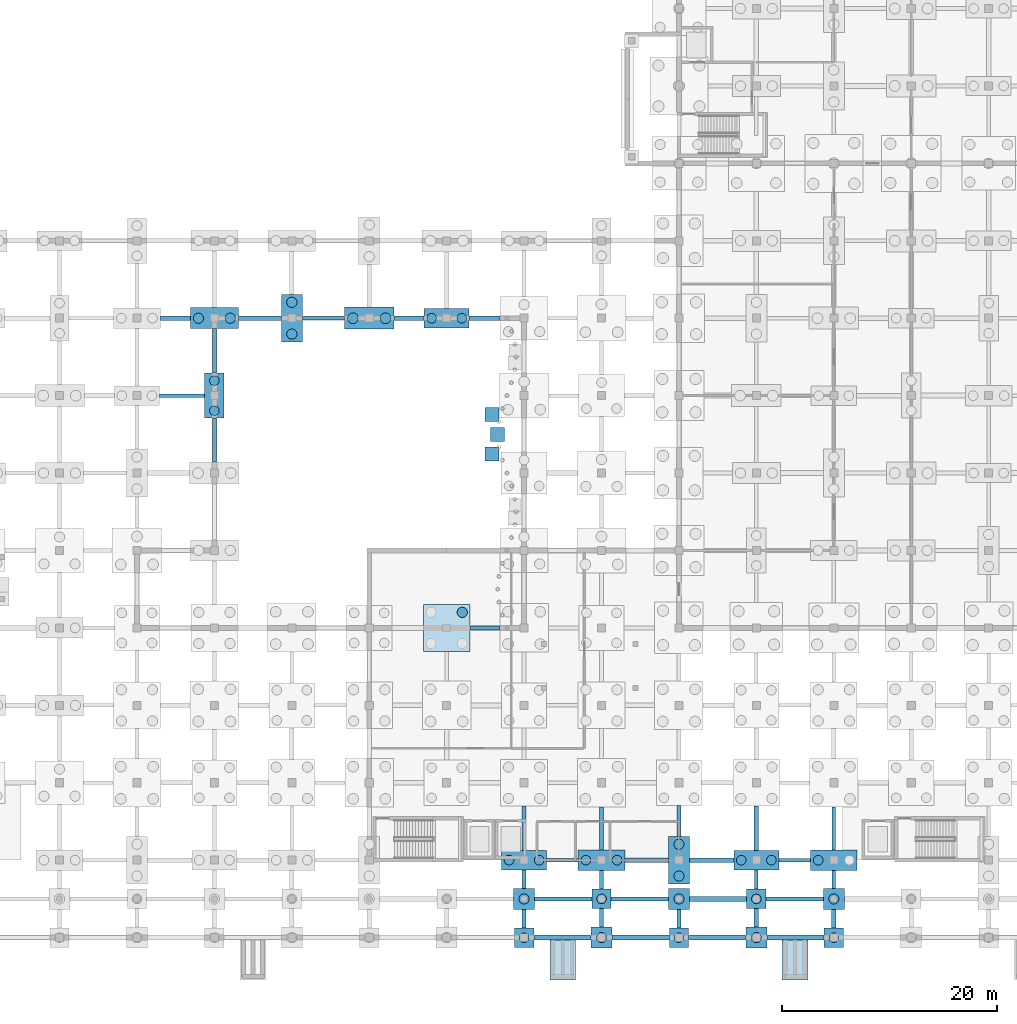
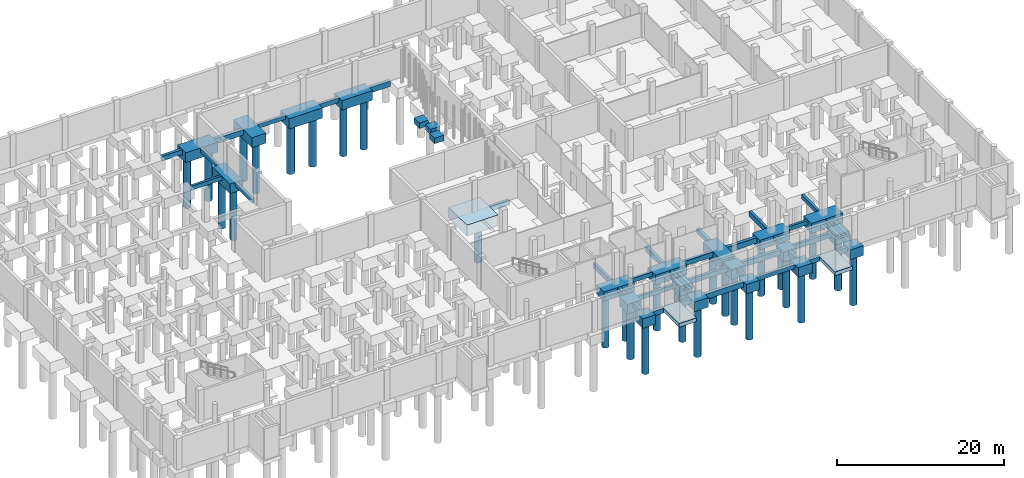
# One storey, part 5 of 35: 61 footings, 30 piles.
"""IFC4 building model written with IfcOpenShell, lengths in metres."""

from ifc_helpers import new_model, si_unit, direction, frame, origin, origin_2d, place, context, subcontext, project, spatial, rectangle, circle, extrude, material, material_profile, profile_set, type_object, element, save


model = new_model("IFC4")

# Units and contexts
model_context = context("Model", 3, precision=1e-05, world=origin(), true_north=direction((0.0, 1.0)))
body_context = subcontext(model_context, "Body", "Model", "MODEL_VIEW")
ifc_project = project(units=[si_unit("LENGTHUNIT", "METRE"), si_unit("AREAUNIT", "SQUARE_METRE"), si_unit("VOLUMEUNIT", "CUBIC_METRE"), si_unit("PLANEANGLEUNIT", "RADIAN"), si_unit("MASSUNIT", "GRAM", prefix="KILO"), si_unit("THERMODYNAMICTEMPERATUREUNIT", "KELVIN"), si_unit("POWERUNIT", "WATT")], contexts=[model_context])

# Site, building, storey
site_placement = place(None, origin())
site = spatial("IfcSite", under=ifc_project, at=site_placement, CompositionType="ELEMENT")
building_placement = place(site_placement, origin())
building = spatial("IfcBuilding", under=site, at=building_placement, Name="Kaldorven Railside Theatre", CompositionType="ELEMENT")
storey_placement = place(building_placement, frame((0.0, 0.0, -4.800048828125)))
storey = spatial("IfcBuildingStorey", under=building, at=storey_placement, Name="B1", CompositionType="ELEMENT", Elevation=-4.800048828125)

# Footings
ifc_material_1 = material(Name="Concrete C40/50", Category="concrete")
ifc_material_profile_1 = material_profile(ifc_material_1, rectangle(XDim=0.449951171875, YDim=0.800048828125, at=origin_2d()), Name="RC 450x800")
ifc_profile_set_1 = profile_set([ifc_material_profile_1], Name="Concrete C40/50")
footing_type_1 = type_object("IfcFootingType", Name="FTG-GB01", PredefinedType="FOOTING_BEAM", material=ifc_profile_set_1)
for number, where, z_axis, x_axis, name in (
    (1, (80.97509765625, 12.0, -0.39990234375), (1.0, 0.0, 0.0), (0.0, 1.0, 0.0), "Foundation Tie Beam GB-021"),
    (2, (88.175048828125, 15.60009765625, -0.39990234375), (1.0, 0.0, 0.0), (0.0, 1.0, 0.0), "Foundation Tie Beam GB-051"),
):
    element("IfcFooting", number, at=place(storey_placement, frame(where, z_axis=z_axis, x_axis=x_axis)), inside=storey, type_object=footing_type_1, Name=name, PredefinedType="FOOTING_BEAM", context=body_context, shape_type="SweptSolid", body=[
        extrude(rectangle(XDim=0.449951171875, YDim=0.800048828125, at=origin_2d()), origin(), (0.0, 0.0, 1.0), 5.324951171875),
    ])
footing_1_placement = place(storey_placement, frame((88.175048828125, 19.199951171875, -0.39990234375), z_axis=(1.0, 0.0, 0.0), x_axis=(0.0, 1.0, 0.0)))
element("IfcFooting", 3, at=footing_1_placement, inside=storey, type_object=footing_type_1, Name="Foundation Tie Beam GB-075", PredefinedType="FOOTING_BEAM", context=body_context, shape_type="SweptSolid", body=[
    extrude(rectangle(XDim=0.449951171875, YDim=0.800048828125, at=origin_2d()), origin(), (0.0, 0.0, 1.0), 4.125),
])
footing_2_placement = place(storey_placement, frame((46.22509765625, 69.60009765625, -0.39990234375), z_axis=(1.0, 0.0, 0.0), x_axis=(0.0, 1.0, 0.0)))
element("IfcFooting", 4, at=footing_2_placement, inside=storey, type_object=footing_type_1, Name="Foundation Tie Beam GB-267", PredefinedType="FOOTING_BEAM", context=body_context, shape_type="SweptSolid", body=[
    extrude(rectangle(XDim=0.449951171875, YDim=0.800048828125, at=origin_2d()), origin(), (0.0, 0.0, 1.0), 4.0),
])
footing_3_placement = place(storey_placement, frame((67.699951171875, 69.60009765625, -0.39990234375), z_axis=(1.0, 0.0, 0.0), x_axis=(0.0, 1.0, 0.0)))
element("IfcFooting", 5, at=footing_3_placement, inside=storey, type_object=footing_type_1, Name="Foundation Tie Beam GB-273", PredefinedType="FOOTING_BEAM", context=body_context, shape_type="SweptSolid", body=[
    extrude(rectangle(XDim=0.449951171875, YDim=0.800048828125, at=origin_2d()), origin(), (0.0, 0.0, 1.0), 2.875),
])
ifc_material_profile_2 = material_profile(ifc_material_1, rectangle(XDim=0.39990234375, YDim=0.699951171875, at=origin_2d()), Name="RC 400x700")
ifc_profile_set_2 = profile_set([ifc_material_profile_2], Name="Concrete C40/50")
footing_type_2 = type_object("IfcFootingType", Name="FTG-GB02", PredefinedType="FOOTING_BEAM", material=ifc_profile_set_2)
footing_4_placement = place(storey_placement, frame((73.699951171875, 12.0, -0.349853515625), z_axis=(1.0, 0.0, 0.0), x_axis=(0.0, 1.0, 0.0)))
element("IfcFooting", 6, at=footing_4_placement, inside=storey, type_object=footing_type_2, Name="Foundation Tie Beam GB-019", PredefinedType="FOOTING_BEAM", context=body_context, shape_type="SweptSolid", body=[
    extrude(rectangle(XDim=0.39990234375, YDim=0.699951171875, at=origin_2d()), origin(), (0.0, 0.0, 1.0), 5.324951171875),
])
footing_5_placement = place(storey_placement, frame((72.800048828125, 12.89990234375, -0.349853515625), z_axis=(0.0, 1.0, 0.0), x_axis=(-1.0, 0.0, 0.0)))
element("IfcFooting", 7, at=footing_5_placement, inside=storey, type_object=footing_type_2, Name="Foundation Tie Beam GB-020", PredefinedType="FOOTING_BEAM", context=body_context, shape_type="SweptSolid", body=[
    extrude(rectangle(XDim=0.39990234375, YDim=0.699951171875, at=origin_2d()), origin(), (0.0, 0.0, 1.0), 1.72509765625),
])
footing_6_placement = place(storey_placement, frame((80.0, 12.97509765625, -0.349853515625), z_axis=(0.0, 1.0, 0.0), x_axis=(-1.0, 0.0, 0.0)))
element("IfcFooting", 8, at=footing_6_placement, inside=storey, type_object=footing_type_2, Name="Foundation Tie Beam GB-022", PredefinedType="FOOTING_BEAM", context=body_context, shape_type="SweptSolid", body=[
    extrude(rectangle(XDim=0.39990234375, YDim=0.699951171875, at=origin_2d()), origin(), (0.0, 0.0, 1.0), 1.724853515625),
])
footing_7_placement = place(storey_placement, frame((87.199951171875, 12.89990234375, -0.349853515625), z_axis=(0.0, 1.0, 0.0), x_axis=(-1.0, 0.0, 0.0)))
element("IfcFooting", 9, at=footing_7_placement, inside=storey, type_object=footing_type_2, Name="Foundation Tie Beam GB-024", PredefinedType="FOOTING_BEAM", context=body_context, shape_type="SweptSolid", body=[
    extrude(rectangle(XDim=0.39990234375, YDim=0.699951171875, at=origin_2d()), origin(), (0.0, 0.0, 1.0), 1.72509765625),
])
footing_8_placement = place(storey_placement, frame((95.375, 12.0, -0.349853515625), z_axis=(1.0, 0.0, 0.0), x_axis=(0.0, 1.0, 0.0)))
element("IfcFooting", 10, at=footing_8_placement, inside=storey, type_object=footing_type_2, Name="Foundation Tie Beam GB-025", PredefinedType="FOOTING_BEAM", context=body_context, shape_type="SweptSolid", body=[
    extrude(rectangle(XDim=0.39990234375, YDim=0.699951171875, at=origin_2d()), origin(), (0.0, 0.0, 1.0), 5.324951171875),
])
footing_9_placement = place(storey_placement, frame((94.39990234375, 12.97509765625, -0.349853515625), z_axis=(0.0, 1.0, 0.0), x_axis=(-1.0, 0.0, 0.0)))
element("IfcFooting", 11, at=footing_9_placement, inside=storey, type_object=footing_type_2, Name="Foundation Tie Beam GB-026", PredefinedType="FOOTING_BEAM", context=body_context, shape_type="SweptSolid", body=[
    extrude(rectangle(XDim=0.39990234375, YDim=0.699951171875, at=origin_2d()), origin(), (0.0, 0.0, 1.0), 1.724853515625),
])
for number, where, z_axis, x_axis, name in (
    (12, (101.60009765625, 12.89990234375, -0.349853515625), (0.0, 1.0, 0.0), (-1.0, 0.0, 0.0), "Foundation Tie Beam GB-028"),
    (13, (72.800048828125, 16.574951171875, -0.349853515625), (0.0, 1.0, 0.0), (-1.0, 0.0, 0.0), "Foundation Tie Beam GB-048"),
):
    element("IfcFooting", number, at=place(storey_placement, frame(where, z_axis=z_axis, x_axis=x_axis)), inside=storey, type_object=footing_type_2, Name=name, PredefinedType="FOOTING_BEAM", context=body_context, shape_type="SweptSolid", body=[
        extrude(rectangle(XDim=0.39990234375, YDim=0.699951171875, at=origin_2d()), origin(), (0.0, 0.0, 1.0), 1.72509765625),
    ])
footing_10_placement = place(storey_placement, frame((80.89990234375, 15.60009765625, -0.349853515625), z_axis=(1.0, 0.0, 0.0), x_axis=(0.0, 1.0, 0.0)))
element("IfcFooting", 14, at=footing_10_placement, inside=storey, type_object=footing_type_2, Name="Foundation Tie Beam GB-049", PredefinedType="FOOTING_BEAM", context=body_context, shape_type="SweptSolid", body=[
    extrude(rectangle(XDim=0.39990234375, YDim=0.699951171875, at=origin_2d()), origin(), (0.0, 0.0, 1.0), 5.3251953125),
])
footing_11_placement = place(storey_placement, frame((80.0, 16.5, -0.349853515625), z_axis=(0.0, 1.0, 0.0), x_axis=(-1.0, 0.0, 0.0)))
element("IfcFooting", 15, at=footing_11_placement, inside=storey, type_object=footing_type_2, Name="Foundation Tie Beam GB-050", PredefinedType="FOOTING_BEAM", context=body_context, shape_type="SweptSolid", body=[
    extrude(rectangle(XDim=0.39990234375, YDim=0.699951171875, at=origin_2d()), origin(), (0.0, 0.0, 1.0), 1.75),
])
footing_12_placement = place(storey_placement, frame((95.300048828125, 15.60009765625, -0.349853515625), z_axis=(1.0, 0.0, 0.0), x_axis=(0.0, 1.0, 0.0)))
element("IfcFooting", 16, at=footing_12_placement, inside=storey, type_object=footing_type_2, Name="Foundation Tie Beam GB-052", PredefinedType="FOOTING_BEAM", context=body_context, shape_type="SweptSolid", body=[
    extrude(rectangle(XDim=0.39990234375, YDim=0.699951171875, at=origin_2d()), origin(), (0.0, 0.0, 1.0), 5.324951171875),
])
footing_13_placement = place(storey_placement, frame((72.800048828125, 20.10009765625, -0.349853515625), z_axis=(0.0, 1.0, 0.0), x_axis=(-1.0, 0.0, 0.0)))
element("IfcFooting", 17, at=footing_13_placement, inside=storey, type_object=footing_type_2, Name="Foundation Tie Beam GB-072", PredefinedType="FOOTING_BEAM", context=body_context, shape_type="SweptSolid", body=[
    extrude(rectangle(XDim=0.39990234375, YDim=0.699951171875, at=origin_2d()), origin(), (0.0, 0.0, 1.0), 4.125),
])
footing_14_placement = place(storey_placement, frame((82.175048828125, 19.199951171875, -0.349853515625), z_axis=(1.0, 0.0, 0.0), x_axis=(0.0, 1.0, 0.0)))
element("IfcFooting", 18, at=footing_14_placement, inside=storey, type_object=footing_type_2, Name="Foundation Tie Beam GB-073", PredefinedType="FOOTING_BEAM", context=body_context, shape_type="SweptSolid", body=[
    extrude(rectangle(XDim=0.39990234375, YDim=0.699951171875, at=origin_2d()), origin(), (0.0, 0.0, 1.0), 4.050048828125),
])
footing_15_placement = place(storey_placement, frame((80.0, 20.14990234375, -0.349853515625), z_axis=(0.0, 1.0, 0.0), x_axis=(-1.0, 0.0, 0.0)))
element("IfcFooting", 19, at=footing_15_placement, inside=storey, type_object=footing_type_2, Name="Foundation Tie Beam GB-074", PredefinedType="FOOTING_BEAM", context=body_context, shape_type="SweptSolid", body=[
    extrude(rectangle(XDim=0.39990234375, YDim=0.699951171875, at=origin_2d()), origin(), (0.0, 0.0, 1.0), 4.0),
])
footing_16_placement = place(storey_placement, frame((87.199951171875, 21.425048828125, -0.349853515625), z_axis=(0.0, 1.0, 0.0), x_axis=(-1.0, 0.0, 0.0)))
element("IfcFooting", 20, at=footing_16_placement, inside=storey, type_object=footing_type_2, Name="Foundation Tie Beam GB-076", PredefinedType="FOOTING_BEAM", context=body_context, shape_type="SweptSolid", body=[
    extrude(rectangle(XDim=0.39990234375, YDim=0.699951171875, at=origin_2d()), origin(), (0.0, 0.0, 1.0), 2.875),
])
footing_17_placement = place(storey_placement, frame((94.39990234375, 20.10009765625, -0.349853515625), z_axis=(0.0, 1.0, 0.0), x_axis=(-1.0, 0.0, 0.0)))
element("IfcFooting", 21, at=footing_17_placement, inside=storey, type_object=footing_type_2, Name="Foundation Tie Beam GB-078", PredefinedType="FOOTING_BEAM", context=body_context, shape_type="SweptSolid", body=[
    extrude(rectangle(XDim=0.39990234375, YDim=0.699951171875, at=origin_2d()), origin(), (0.0, 0.0, 1.0), 4.125),
])
footing_18_placement = place(storey_placement, frame((67.77490234375, 40.800048828125, -0.349853515625), z_axis=(1.0, 0.0, 0.0), x_axis=(0.0, 1.0, 0.0)))
element("IfcFooting", 22, at=footing_18_placement, inside=storey, type_object=footing_type_2, Name="Foundation Tie Beam GB-163", PredefinedType="FOOTING_BEAM", context=body_context, shape_type="SweptSolid", body=[
    extrude(rectangle(XDim=0.39990234375, YDim=0.699951171875, at=origin_2d()), origin(), (0.0, 0.0, 1.0), 2.775146484375),
])
footing_19_placement = place(storey_placement, frame((38.97509765625, 69.60009765625, -0.349853515625), z_axis=(1.0, 0.0, 0.0), x_axis=(0.0, 1.0, 0.0)))
element("IfcFooting", 23, at=footing_19_placement, inside=storey, type_object=footing_type_2, Name="Foundation Tie Beam GB-265", PredefinedType="FOOTING_BEAM", context=body_context, shape_type="SweptSolid", body=[
    extrude(rectangle(XDim=0.39990234375, YDim=0.699951171875, at=origin_2d()), origin(), (0.0, 0.0, 1.0), 2.7998046875),
])
footing_20_placement = place(storey_placement, frame((60.699951171875, 69.60009765625, -0.349853515625), z_axis=(1.0, 0.0, 0.0), x_axis=(0.0, 1.0, 0.0)))
element("IfcFooting", 24, at=footing_20_placement, inside=storey, type_object=footing_type_2, Name="Foundation Tie Beam GB-271", PredefinedType="FOOTING_BEAM", context=body_context, shape_type="SweptSolid", body=[
    extrude(rectangle(XDim=0.39990234375, YDim=0.699951171875, at=origin_2d()), origin(), (0.0, 0.0, 1.0), 2.800048828125),
])
ifc_material_profile_3 = material_profile(ifc_material_1, rectangle(XDim=0.35009765625, YDim=0.60009765625, at=origin_2d()), Name="RC 350x600")
ifc_profile_set_3 = profile_set([ifc_material_profile_3], Name="Concrete C40/50")
footing_type_3 = type_object("IfcFootingType", Name="FTG-GB03", PredefinedType="FOOTING_BEAM", material=ifc_profile_set_3)
footing_21_placement = place(storey_placement, frame((88.10009765625, 12.0, -0.300048828125), z_axis=(1.0, 0.0, 0.0), x_axis=(0.0, 1.0, 0.0)))
element("IfcFooting", 25, at=footing_21_placement, inside=storey, type_object=footing_type_3, Name="Foundation Tie Beam GB-023", PredefinedType="FOOTING_BEAM", context=body_context, shape_type="SweptSolid", body=[
    extrude(rectangle(XDim=0.35009765625, YDim=0.60009765625, at=origin_2d()), origin(), (0.0, 0.0, 1.0), 5.324951171875),
])
footing_22_placement = place(storey_placement, frame((73.77490234375, 15.60009765625, -0.300048828125), z_axis=(1.0, 0.0, 0.0), x_axis=(0.0, 1.0, 0.0)))
element("IfcFooting", 26, at=footing_22_placement, inside=storey, type_object=footing_type_3, Name="Foundation Tie Beam GB-047", PredefinedType="FOOTING_BEAM", context=body_context, shape_type="SweptSolid", body=[
    extrude(rectangle(XDim=0.35009765625, YDim=0.60009765625, at=origin_2d()), origin(), (0.0, 0.0, 1.0), 5.3251953125),
])
footing_23_placement = place(storey_placement, frame((94.39990234375, 16.5, -0.300048828125), z_axis=(0.0, 1.0, 0.0), x_axis=(-1.0, 0.0, 0.0)))
element("IfcFooting", 27, at=footing_23_placement, inside=storey, type_object=footing_type_3, Name="Foundation Tie Beam GB-053", PredefinedType="FOOTING_BEAM", context=body_context, shape_type="SweptSolid", body=[
    extrude(rectangle(XDim=0.35009765625, YDim=0.60009765625, at=origin_2d()), origin(), (0.0, 0.0, 1.0), 1.800048828125),
])
footing_24_placement = place(storey_placement, frame((101.60009765625, 16.574951171875, -0.300048828125), z_axis=(0.0, 1.0, 0.0), x_axis=(-1.0, 0.0, 0.0)))
element("IfcFooting", 28, at=footing_24_placement, inside=storey, type_object=footing_type_3, Name="Foundation Tie Beam GB-055", PredefinedType="FOOTING_BEAM", context=body_context, shape_type="SweptSolid", body=[
    extrude(rectangle(XDim=0.35009765625, YDim=0.60009765625, at=origin_2d()), origin(), (0.0, 0.0, 1.0), 1.675048828125),
])
for number, where, z_axis, x_axis, name in (
    (29, (74.89990234375, 19.199951171875, -0.300048828125), (1.0, 0.0, 0.0), (0.0, 1.0, 0.0), "Foundation Tie Beam GB-071"),
    (30, (96.5, 19.199951171875, -0.300048828125), (1.0, 0.0, 0.0), (0.0, 1.0, 0.0), "Foundation Tie Beam GB-077"),
):
    element("IfcFooting", number, at=place(storey_placement, frame(where, z_axis=z_axis, x_axis=x_axis)), inside=storey, type_object=footing_type_3, Name=name, PredefinedType="FOOTING_BEAM", context=body_context, shape_type="SweptSolid", body=[
        extrude(rectangle(XDim=0.35009765625, YDim=0.60009765625, at=origin_2d()), origin(), (0.0, 0.0, 1.0), 2.925048828125),
    ])
footing_25_placement = place(storey_placement, frame((101.60009765625, 20.14990234375, -0.300048828125), z_axis=(0.0, 1.0, 0.0), x_axis=(-1.0, 0.0, 0.0)))
element("IfcFooting", 31, at=footing_25_placement, inside=storey, type_object=footing_type_3, Name="Foundation Tie Beam GB-079", PredefinedType="FOOTING_BEAM", context=body_context, shape_type="SweptSolid", body=[
    extrude(rectangle(XDim=0.35009765625, YDim=0.60009765625, at=origin_2d()), origin(), (0.0, 0.0, 1.0), 4.0),
])
footing_26_placement = place(storey_placement, frame((44.0, 56.22509765625, -0.300048828125), z_axis=(0.0, 1.0, 0.0), x_axis=(-1.0, 0.0, 0.0)))
element("IfcFooting", 32, at=footing_26_placement, inside=storey, type_object=footing_type_3, Name="Foundation Tie Beam GB-215", PredefinedType="FOOTING_BEAM", context=body_context, shape_type="SweptSolid", body=[
    extrude(rectangle(XDim=0.35009765625, YDim=0.60009765625, at=origin_2d()), origin(), (0.0, 0.0, 1.0), 4.074951171875),
])
footing_27_placement = place(storey_placement, frame((38.89990234375, 62.39990234375, -0.300048828125), z_axis=(1.0, 0.0, 0.0), x_axis=(0.0, 1.0, 0.0)))
element("IfcFooting", 33, at=footing_27_placement, inside=storey, type_object=footing_type_3, Name="Foundation Tie Beam GB-239", PredefinedType="FOOTING_BEAM", context=body_context, shape_type="SweptSolid", body=[
    extrude(rectangle(XDim=0.35009765625, YDim=0.60009765625, at=origin_2d()), origin(), (0.0, 0.0, 1.0), 4.2001953125),
])
footing_28_placement = place(storey_placement, frame((44.0, 64.5, -0.300048828125), z_axis=(0.0, 1.0, 0.0), x_axis=(-1.0, 0.0, 0.0)))
element("IfcFooting", 34, at=footing_28_placement, inside=storey, type_object=footing_type_3, Name="Foundation Tie Beam GB-241", PredefinedType="FOOTING_BEAM", context=body_context, shape_type="SweptSolid", body=[
    extrude(rectangle(XDim=0.35009765625, YDim=0.60009765625, at=origin_2d()), origin(), (0.0, 0.0, 1.0), 4.125),
])
footing_29_placement = place(storey_placement, frame((52.175048828125, 69.60009765625, -0.300048828125), z_axis=(1.0, 0.0, 0.0), x_axis=(0.0, 1.0, 0.0)))
element("IfcFooting", 35, at=footing_29_placement, inside=storey, type_object=footing_type_3, Name="Foundation Tie Beam GB-269", PredefinedType="FOOTING_BEAM", context=body_context, shape_type="SweptSolid", body=[
    extrude(rectangle(XDim=0.35009765625, YDim=0.60009765625, at=origin_2d()), origin(), (0.0, 0.0, 1.0), 3.925048828125),
])
footing_type_4 = type_object("IfcFootingType", Name="FTG-PC01", PredefinedType="PILE_CAP", material=ifc_material_1)
for number, where, z_axis, x_axis, name in (
    (36, (72.800048828125, 12.0, -1.39990234375), (0.0, 0.0, 1.0), (1.0, 0.0, 0.0), "Reinforced Concrete Pile Cap FC-010"),
    (37, (87.199951171875, 12.0, -1.39990234375), (0.0, 0.0, 1.0), (1.0, 0.0, 0.0), "Reinforced Concrete Pile Cap FC-012"),
    (38, (101.60009765625, 12.0, -1.39990234375), (0.0, 0.0, 1.0), (1.0, 0.0, 0.0), "Reinforced Concrete Pile Cap FC-014"),
    (39, (80.0, 15.60009765625, -1.39990234375), (0.0, 0.0, 1.0), (1.0, 0.0, 0.0), "Reinforced Concrete Pile Cap FC-028"),
    (40, (94.39990234375, 15.60009765625, -1.39990234375), (0.0, 0.0, 1.0), (1.0, 0.0, 0.0), "Reinforced Concrete Pile Cap FC-030"),
):
    element("IfcFooting", number, at=place(storey_placement, frame(where, z_axis=z_axis, x_axis=x_axis)), inside=storey, type_object=footing_type_4, Name=name, PredefinedType="PILE_CAP", context=body_context, shape_type="SweptSolid", body=[
        extrude(rectangle(XDim=1.800048828125, YDim=1.800048828125, at=origin_2d()), origin(), (0.0, 0.0, 1.0), 1.39990234375),
    ])
footing_type_5 = type_object("IfcFootingType", Name="FTG-PC02", PredefinedType="PILE_CAP", material=ifc_material_1)
for number, where, z_axis, x_axis, name in (
    (41, (80.0, 12.0, -1.39990234375), (0.0, 0.0, 1.0), (1.0, 0.0, 0.0), "Reinforced Concrete Pile Cap FC-011"),
    (42, (94.39990234375, 12.0, -1.39990234375), (0.0, 0.0, 1.0), (1.0, 0.0, 0.0), "Reinforced Concrete Pile Cap FC-013"),
    (43, (72.800048828125, 15.60009765625, -1.39990234375), (0.0, 0.0, 1.0), (1.0, 0.0, 0.0), "Reinforced Concrete Pile Cap FC-027"),
    (44, (87.199951171875, 15.60009765625, -1.39990234375), (0.0, 0.0, 1.0), (1.0, 0.0, 0.0), "Reinforced Concrete Pile Cap FC-029"),
    (45, (101.60009765625, 15.60009765625, -1.39990234375), (0.0, 0.0, 1.0), (1.0, 0.0, 0.0), "Reinforced Concrete Pile Cap FC-031"),
):
    element("IfcFooting", number, at=place(storey_placement, frame(where, z_axis=z_axis, x_axis=x_axis)), inside=storey, type_object=footing_type_5, Name=name, PredefinedType="PILE_CAP", context=body_context, shape_type="SweptSolid", body=[
        extrude(rectangle(XDim=1.949951171875, YDim=1.949951171875, at=origin_2d()), origin(), (0.0, 0.0, 1.0), 1.39990234375),
    ])
footing_type_6 = type_object("IfcFootingType", Name="FTG-PC03", PredefinedType="PILE_CAP", material=ifc_material_1)
for number, where, z_axis, x_axis, name in (
    (46, (72.800048828125, 19.199951171875, -1.39990234375), (0.0, 0.0, 1.0), (1.0, 0.0, 0.0), "Reinforced Concrete Pile Cap FC-042"),
    (47, (94.39990234375, 19.199951171875, -1.39990234375), (0.0, 0.0, 1.0), (1.0, 0.0, 0.0), "Reinforced Concrete Pile Cap FC-045"),
    (48, (65.60009765625, 69.60009765625, -1.39990234375), (0.0, 0.0, 1.0), (1.0, 0.0, 0.0), "Reinforced Concrete Pile Cap FC-150"),
):
    element("IfcFooting", number, at=place(storey_placement, frame(where, z_axis=z_axis, x_axis=x_axis)), inside=storey, type_object=footing_type_6, Name=name, PredefinedType="PILE_CAP", context=body_context, shape_type="SweptSolid", body=[
        extrude(rectangle(XDim=4.199951171875, YDim=1.800048828125, at=origin_2d()), origin(), (0.0, 0.0, 1.0), 1.39990234375),
    ])
footing_type_7 = type_object("IfcFootingType", Name="FTG-PC04", PredefinedType="PILE_CAP", material=ifc_material_1)
footing_30_placement = place(storey_placement, frame((44.0, 62.39990234375, -1.39990234375), z_axis=(0.0, 0.0, 1.0), x_axis=(1.0, 0.0, 0.0)))
element("IfcFooting", 49, at=footing_30_placement, inside=storey, type_object=footing_type_7, Name="Reinforced Concrete Pile Cap FC-133", PredefinedType="PILE_CAP", context=body_context, shape_type="SweptSolid", body=[
    extrude(rectangle(XDim=1.800048828125, YDim=4.199951171875, at=origin_2d()), origin(), (0.0, 0.0, 1.0), 1.39990234375),
])
footing_type_8 = type_object("IfcFootingType", Name="FTG-PC05", PredefinedType="PILE_CAP", material=ifc_material_1)
for number, where, z_axis, x_axis, name in (
    (50, (80.0, 19.199951171875, -1.44970703125), (0.0, 0.0, 1.0), (1.0, 0.0, 0.0), "Reinforced Concrete Pile Cap FC-043"),
    (51, (101.60009765625, 19.199951171875, -1.44970703125), (0.0, 0.0, 1.0), (1.0, 0.0, 0.0), "Reinforced Concrete Pile Cap FC-046"),
):
    element("IfcFooting", number, at=place(storey_placement, frame(where, z_axis=z_axis, x_axis=x_axis)), inside=storey, type_object=footing_type_8, Name=name, PredefinedType="PILE_CAP", context=body_context, shape_type="SweptSolid", body=[
        extrude(rectangle(XDim=4.35009765625, YDim=1.89990234375, at=origin_2d()), origin(), (0.0, 0.0, 1.0), 1.449951171875),
    ])
footing_type_9 = type_object("IfcFootingType", Name="FTG-PC06", PredefinedType="PILE_CAP", material=ifc_material_1)
footing_31_placement = place(storey_placement, frame((44.0, 69.60009765625, -1.44970703125), z_axis=(0.0, 0.0, 1.0), x_axis=(1.0, 0.0, 0.0)))
element("IfcFooting", 52, at=footing_31_placement, inside=storey, type_object=footing_type_9, Name="Reinforced Concrete Pile Cap FC-147", PredefinedType="PILE_CAP", context=body_context, shape_type="SweptSolid", body=[
    extrude(rectangle(XDim=4.449951171875, YDim=1.949951171875, at=origin_2d()), origin(), (0.0, 0.0, 1.0), 1.449951171875),
])
footing_type_10 = type_object("IfcFootingType", Name="FTG-PC07", PredefinedType="PILE_CAP", material=ifc_material_1)
for number, where, z_axis, x_axis, name in (
    (53, (87.199951171875, 19.199951171875, -1.44970703125), (0.0, 0.0, 1.0), (1.0, 0.0, 0.0), "Reinforced Concrete Pile Cap FC-044"),
    (54, (51.199951171875, 69.60009765625, -1.44970703125), (0.0, 0.0, 1.0), (1.0, 0.0, 0.0), "Reinforced Concrete Pile Cap FC-148"),
):
    element("IfcFooting", number, at=place(storey_placement, frame(where, z_axis=z_axis, x_axis=x_axis)), inside=storey, type_object=footing_type_10, Name=name, PredefinedType="PILE_CAP", context=body_context, shape_type="SweptSolid", body=[
        extrude(rectangle(XDim=1.949951171875, YDim=4.449951171875, at=origin_2d()), origin(), (0.0, 0.0, 1.0), 1.449951171875),
    ])
footing_type_11 = type_object("IfcFootingType", Name="FTG-PC08", PredefinedType="PILE_CAP", material=ifc_material_1)
footing_32_placement = place(storey_placement, frame((58.39990234375, 69.60009765625, -1.5), z_axis=(0.0, 0.0, 1.0), x_axis=(1.0, 0.0, 0.0)))
element("IfcFooting", 55, at=footing_32_placement, inside=storey, type_object=footing_type_11, Name="Reinforced Concrete Pile Cap FC-149", PredefinedType="PILE_CAP", context=body_context, shape_type="SweptSolid", body=[
    extrude(rectangle(XDim=4.60009765625, YDim=2.050048828125, at=origin_2d()), origin(), (0.0, 0.0, 1.0), 1.5),
])
footing_type_12 = type_object("IfcFootingType", Name="FTG-PC13", PredefinedType="PILE_CAP", material=ifc_material_1)
footing_33_placement = place(storey_placement, frame((65.60009765625, 40.800048828125, -1.60009765625), z_axis=(0.0, 0.0, 1.0), x_axis=(1.0, 0.0, 0.0)))
element("IfcFooting", 56, at=footing_33_placement, inside=storey, type_object=footing_type_12, Name="Reinforced Concrete Pile Cap FC-091", PredefinedType="PILE_CAP", context=body_context, shape_type="SweptSolid", body=[
    extrude(rectangle(XDim=4.35009765625, YDim=4.35009765625, at=origin_2d()), origin(), (0.0, 0.0, 1.0), 1.60009765625),
])
footing_type_13 = type_object("IfcFootingType", Name="FTG-SF01", PredefinedType="PAD_FOOTING", material=ifc_material_1)
for number, where, z_axis, x_axis, name in (
    (57, (70.35009765625, 58.800048828125, -0.7998046875), (0.0, 0.0, 1.0), (1.0, 0.0, 0.0), "Court Flute Stanchion Pad SF-016"),
    (58, (69.833984375, 56.969970703125, -0.7998046875), (0.0, 0.0, 1.0), (1.0, 0.0, 0.0), "Court Flute Stanchion Pad SF-017"),
    (59, (69.833984375, 60.6298828125, -0.7998046875), (0.0, 0.0, 1.0), (1.0, 0.0, 0.0), "Court Flute Stanchion Pad SF-018"),
):
    element("IfcFooting", number, at=place(storey_placement, frame(where, z_axis=z_axis, x_axis=x_axis)), inside=storey, type_object=footing_type_13, Name=name, PredefinedType="PAD_FOOTING", context=body_context, shape_type="SweptSolid", body=[
        extrude(rectangle(XDim=1.300048828125, YDim=1.300048828125, at=origin_2d()), origin(), (0.0, 0.0, 1.0), 0.800048828125),
    ])
for number, where, z_axis, x_axis, name in (
    (60, (76.39990234375, 10.110107421875, -0.5498046875), (0.0, 0.0, 1.0), (1.0, 0.0, 0.0), "Arrival Ramp Foundation Pad FRM-03"),
    (61, (98.0, 10.110107421875, -0.5498046875), (0.0, 0.0, 1.0), (1.0, 0.0, 0.0), "Arrival Ramp Foundation Pad FRM-04"),
):
    element("IfcFooting", number, at=place(storey_placement, frame(where, z_axis=z_axis, x_axis=x_axis)), inside=storey, type_object=footing_type_13, Name=name, PredefinedType="PAD_FOOTING", context=body_context, shape_type="SweptSolid", body=[
        extrude(rectangle(XDim=2.39990234375, YDim=4.10009765625, at=origin_2d()), origin(), (0.0, 0.0, 1.0), 0.550048828125),
    ])

# Piles
ifc_material_2 = material(Name="Concrete C35/45", Category="concrete")
ifc_material_profile_4 = material_profile(ifc_material_2, circle(Radius=0.5, at=origin_2d()), Name="BP D1000")
ifc_profile_set_4 = profile_set([ifc_material_profile_4], Name="Concrete C35/45")
pile_type_1 = type_object("IfcPileType", Name="PIL-D1000", PredefinedType="BORED", material=ifc_profile_set_4)
for number, where, z_axis, x_axis, name in (
    (62, (56.8798828125, 69.60009765625, -1.39990234375), (0.0, 0.0, -1.0), (1.0, 0.0, 0.0), "Bored Bedrock Socket Pile BP-058-069-1"),
    (63, (59.919921875, 69.60009765625, -1.39990234375), (0.0, 0.0, -1.0), (1.0, 0.0, 0.0), "Bored Bedrock Socket Pile BP-058-069-2"),
):
    element("IfcPile", number, at=place(storey_placement, frame(where, z_axis=z_axis, x_axis=x_axis)), inside=storey, type_object=pile_type_1, Name=name, PredefinedType="BORED", context=body_context, shape_type="SweptSolid", body=[
        extrude(circle(Radius=0.5, at=origin_2d()), origin(), (0.0, 0.0, 1.0), 7.300048828125),
    ])
ifc_material_profile_5 = material_profile(ifc_material_2, circle(Radius=0.449951171875, at=origin_2d()), Name="BP D900")
ifc_profile_set_5 = profile_set([ifc_material_profile_5], Name="Concrete C35/45")
pile_type_2 = type_object("IfcPileType", Name="PIL-D900", PredefinedType="BORED", material=ifc_profile_set_5)
for number, where, z_axis, x_axis, name in (
    (64, (72.800048828125, 12.0, -1.300048828125), (0.0, 0.0, -1.0), (1.0, 0.0, 0.0), "Bored Bedrock Socket Pile BP-072-012-1"),
    (65, (87.199951171875, 12.0, -1.300048828125), (0.0, 0.0, -1.0), (1.0, 0.0, 0.0), "Bored Bedrock Socket Pile BP-087-012-1"),
    (66, (101.60009765625, 12.0, -1.300048828125), (0.0, 0.0, -1.0), (1.0, 0.0, 0.0), "Bored Bedrock Socket Pile BP-101-012-1"),
    (67, (80.0, 15.60009765625, -1.300048828125), (0.0, 0.0, -1.0), (1.0, 0.0, 0.0), "Bored Bedrock Socket Pile BP-080-015-1"),
    (68, (94.39990234375, 15.60009765625, -1.300048828125), (0.0, 0.0, -1.0), (1.0, 0.0, 0.0), "Bored Bedrock Socket Pile BP-094-015-1"),
    (69, (71.39990234375, 19.199951171875, -1.300048828125), (0.0, 0.0, -1.0), (1.0, 0.0, 0.0), "Bored Bedrock Socket Pile BP-072-019-1"),
    (70, (74.199951171875, 19.199951171875, -1.300048828125), (0.0, 0.0, -1.0), (1.0, 0.0, 0.0), "Bored Bedrock Socket Pile BP-072-019-2"),
):
    element("IfcPile", number, at=place(storey_placement, frame(where, z_axis=z_axis, x_axis=x_axis)), inside=storey, type_object=pile_type_2, Name=name, PredefinedType="BORED", context=body_context, shape_type="SweptSolid", body=[
        extrude(circle(Radius=0.449951171875, at=origin_2d()), origin(), (0.0, 0.0, 1.0), 7.39990234375),
    ])
for number, where, z_axis, x_axis, name in (
    (71, (78.550048828125, 19.199951171875, -1.349853515625), (0.0, 0.0, -1.0), (1.0, 0.0, 0.0), "Bored Bedrock Socket Pile BP-080-019-1"),
    (72, (81.449951171875, 19.199951171875, -1.349853515625), (0.0, 0.0, -1.0), (1.0, 0.0, 0.0), "Bored Bedrock Socket Pile BP-080-019-2"),
):
    element("IfcPile", number, at=place(storey_placement, frame(where, z_axis=z_axis, x_axis=x_axis)), inside=storey, type_object=pile_type_2, Name=name, PredefinedType="BORED", context=body_context, shape_type="SweptSolid", body=[
        extrude(circle(Radius=0.449951171875, at=origin_2d()), origin(), (0.0, 0.0, 1.0), 7.35009765625),
    ])
for number, where, z_axis, x_axis, name in (
    (73, (93.0, 19.199951171875, -1.300048828125), (0.0, 0.0, -1.0), (1.0, 0.0, 0.0), "Bored Bedrock Socket Pile BP-094-019-1"),
    (74, (95.800048828125, 19.199951171875, -1.300048828125), (0.0, 0.0, -1.0), (1.0, 0.0, 0.0), "Bored Bedrock Socket Pile BP-094-019-2"),
):
    element("IfcPile", number, at=place(storey_placement, frame(where, z_axis=z_axis, x_axis=x_axis)), inside=storey, type_object=pile_type_2, Name=name, PredefinedType="BORED", context=body_context, shape_type="SweptSolid", body=[
        extrude(circle(Radius=0.449951171875, at=origin_2d()), origin(), (0.0, 0.0, 1.0), 7.39990234375),
    ])
pile_1_placement = place(storey_placement, frame((100.14990234375, 19.199951171875, -1.349853515625), z_axis=(0.0, 0.0, -1.0), x_axis=(1.0, 0.0, 0.0)))
element("IfcPile", 75, at=pile_1_placement, inside=storey, type_object=pile_type_2, Name="Bored Bedrock Socket Pile BP-101-019-1", PredefinedType="BORED", context=body_context, shape_type="SweptSolid", body=[
    extrude(circle(Radius=0.449951171875, at=origin_2d()), origin(), (0.0, 0.0, 1.0), 7.35009765625),
])
for number, where, z_axis, x_axis, name in (
    (76, (44.0, 61.0, -1.300048828125), (0.0, 0.0, -1.0), (1.0, 0.0, 0.0), "Bored Bedrock Socket Pile BP-044-062-1"),
    (77, (44.0, 63.800048828125, -1.300048828125), (0.0, 0.0, -1.0), (1.0, 0.0, 0.0), "Bored Bedrock Socket Pile BP-044-062-2"),
    (78, (64.199951171875, 69.60009765625, -1.300048828125), (0.0, 0.0, -1.0), (1.0, 0.0, 0.0), "Bored Bedrock Socket Pile BP-065-069-1"),
    (79, (67.0, 69.60009765625, -1.300048828125), (0.0, 0.0, -1.0), (1.0, 0.0, 0.0), "Bored Bedrock Socket Pile BP-065-069-2"),
):
    element("IfcPile", number, at=place(storey_placement, frame(where, z_axis=z_axis, x_axis=x_axis)), inside=storey, type_object=pile_type_2, Name=name, PredefinedType="BORED", context=body_context, shape_type="SweptSolid", body=[
        extrude(circle(Radius=0.449951171875, at=origin_2d()), origin(), (0.0, 0.0, 1.0), 7.39990234375),
    ])
ifc_material_profile_6 = material_profile(ifc_material_2, circle(Radius=0.47509765625, at=origin_2d()), Name="BP D950")
ifc_profile_set_6 = profile_set([ifc_material_profile_6], Name="Concrete C35/45")
pile_type_3 = type_object("IfcPileType", Name="PIL-D950", PredefinedType="BORED", material=ifc_profile_set_6)
for number, where, z_axis, x_axis, name in (
    (80, (80.0, 12.0, -1.300048828125), (0.0, 0.0, -1.0), (1.0, 0.0, 0.0), "Bored Bedrock Socket Pile BP-080-012-1"),
    (81, (94.39990234375, 12.0, -1.300048828125), (0.0, 0.0, -1.0), (1.0, 0.0, 0.0), "Bored Bedrock Socket Pile BP-094-012-1"),
    (82, (72.800048828125, 15.60009765625, -1.300048828125), (0.0, 0.0, -1.0), (1.0, 0.0, 0.0), "Bored Bedrock Socket Pile BP-072-015-1"),
    (83, (87.199951171875, 15.60009765625, -1.300048828125), (0.0, 0.0, -1.0), (1.0, 0.0, 0.0), "Bored Bedrock Socket Pile BP-087-015-1"),
    (84, (101.60009765625, 15.60009765625, -1.300048828125), (0.0, 0.0, -1.0), (1.0, 0.0, 0.0), "Bored Bedrock Socket Pile BP-101-015-1"),
):
    element("IfcPile", number, at=place(storey_placement, frame(where, z_axis=z_axis, x_axis=x_axis)), inside=storey, type_object=pile_type_3, Name=name, PredefinedType="BORED", context=body_context, shape_type="SweptSolid", body=[
        extrude(circle(Radius=0.47509765625, at=origin_2d()), origin(), (0.0, 0.0, 1.0), 7.39990234375),
    ])
for number, where, z_axis, x_axis, name in (
    (85, (87.199951171875, 17.719970703125, -1.349853515625), (0.0, 0.0, -1.0), (1.0, 0.0, 0.0), "Bored Bedrock Socket Pile BP-087-019-1"),
    (86, (87.199951171875, 20.679931640625, -1.349853515625), (0.0, 0.0, -1.0), (1.0, 0.0, 0.0), "Bored Bedrock Socket Pile BP-087-019-2"),
):
    element("IfcPile", number, at=place(storey_placement, frame(where, z_axis=z_axis, x_axis=x_axis)), inside=storey, type_object=pile_type_3, Name=name, PredefinedType="BORED", context=body_context, shape_type="SweptSolid", body=[
        extrude(circle(Radius=0.47509765625, at=origin_2d()), origin(), (0.0, 0.0, 1.0), 7.35009765625),
    ])
pile_2_placement = place(storey_placement, frame((67.050048828125, 42.25, -1.5), z_axis=(0.0, 0.0, -1.0), x_axis=(1.0, 0.0, 0.0)))
element("IfcPile", 87, at=pile_2_placement, inside=storey, type_object=pile_type_3, Name="Bored Bedrock Socket Pile BP-065-040-4", PredefinedType="BORED", context=body_context, shape_type="SweptSolid", body=[
    extrude(circle(Radius=0.47509765625, at=origin_2d()), origin(), (0.0, 0.0, 1.0), 7.199951171875),
])
for number, where, z_axis, x_axis, name in (
    (88, (42.52001953125, 69.60009765625, -1.349853515625), (0.0, 0.0, -1.0), (1.0, 0.0, 0.0), "Bored Bedrock Socket Pile BP-044-069-1"),
    (89, (45.47998046875, 69.60009765625, -1.349853515625), (0.0, 0.0, -1.0), (1.0, 0.0, 0.0), "Bored Bedrock Socket Pile BP-044-069-2"),
    (90, (51.199951171875, 68.1201171875, -1.349853515625), (0.0, 0.0, -1.0), (1.0, 0.0, 0.0), "Bored Bedrock Socket Pile BP-051-069-1"),
    (91, (51.199951171875, 71.080078125, -1.349853515625), (0.0, 0.0, -1.0), (1.0, 0.0, 0.0), "Bored Bedrock Socket Pile BP-051-069-2"),
):
    element("IfcPile", number, at=place(storey_placement, frame(where, z_axis=z_axis, x_axis=x_axis)), inside=storey, type_object=pile_type_3, Name=name, PredefinedType="BORED", context=body_context, shape_type="SweptSolid", body=[
        extrude(circle(Radius=0.47509765625, at=origin_2d()), origin(), (0.0, 0.0, 1.0), 7.35009765625),
    ])

save(model, "model.ifc")
